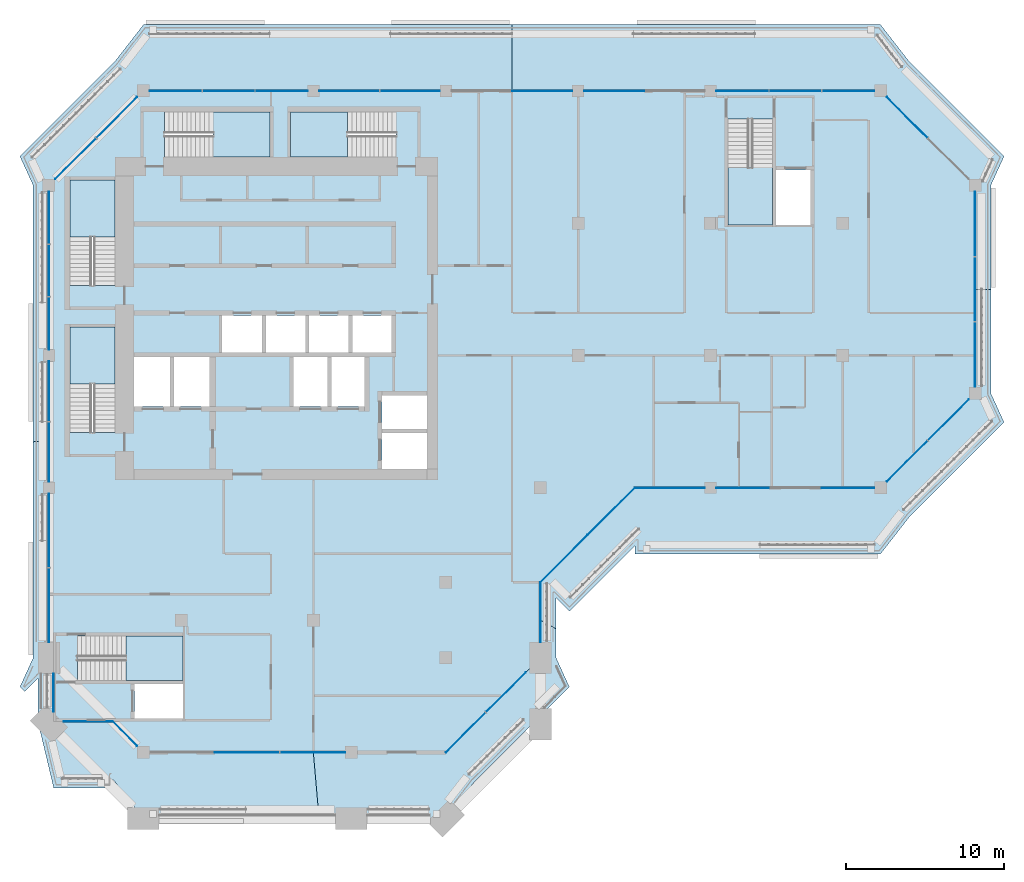
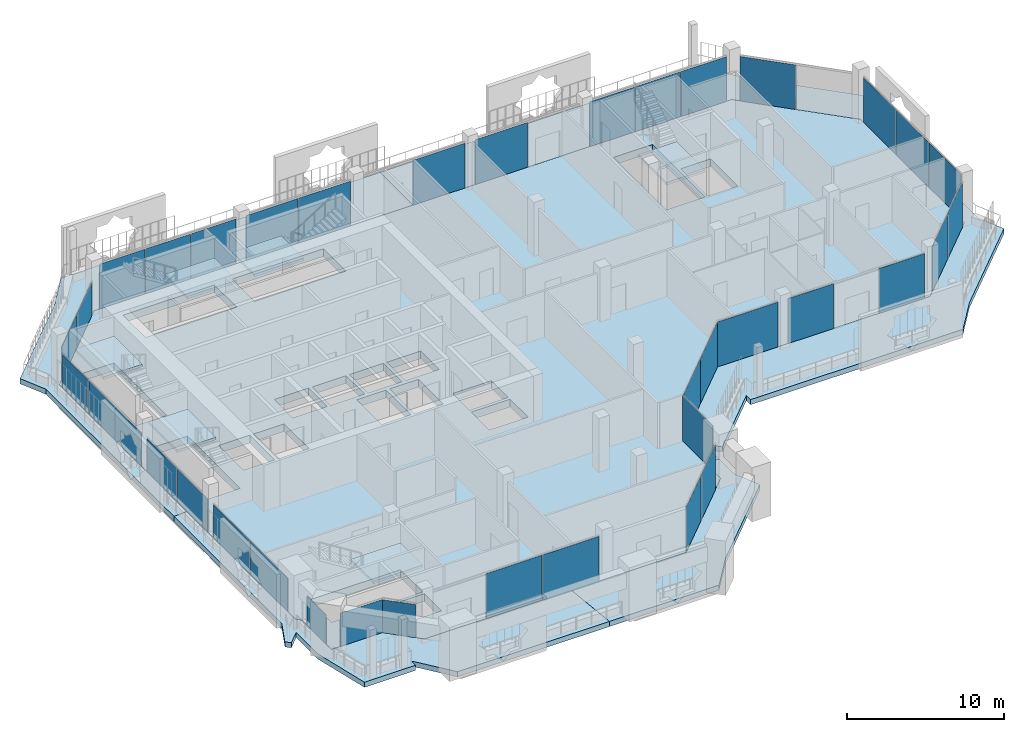
# One storey, part 9 of 22: 38 plates, 12 slabs, 20 elements without a shape of their own.
"""IFC4 building model written with IfcOpenShell, lengths in metres."""

from ifc_helpers import new_model, si_unit, direction, frame, origin, origin_2d, place, context, subcontext, project, spatial, polyline, rectangle, outline, extrude, material, layer, layer_set, type_object, element, aggregate, save


model = new_model("IFC4")

# Units and contexts
model_context = context("Model", 3, precision=1e-05, world=origin(), true_north=direction((0.0, 1.0)))
body_context = subcontext(model_context, "Body", "Model", "MODEL_VIEW")
ifc_project = project(units=[si_unit("LENGTHUNIT", "METRE"), si_unit("AREAUNIT", "SQUARE_METRE"), si_unit("VOLUMEUNIT", "CUBIC_METRE"), si_unit("PLANEANGLEUNIT", "RADIAN"), si_unit("MASSUNIT", "GRAM", prefix="KILO")], contexts=[model_context])

# Site, building, storey
site_placement = place(None, origin())
site = spatial("IfcSite", under=ifc_project, at=site_placement, CompositionType="ELEMENT")
building_placement = place(site_placement, origin())
building = spatial("IfcBuilding", under=site, at=building_placement, Name="Kawkab Arch Medical Tower", CompositionType="ELEMENT")
storey_placement = place(building_placement, frame((0.0, 0.0, 294.39990234375)))
storey = spatial("IfcBuildingStorey", under=building, at=storey_placement, Name="L68", CompositionType="ELEMENT", Elevation=294.39990234375)

# Curtain wall, plates
ifc_material_1 = material(Name="Bronze anodised aluminium curtain wall frame", Category="aluminium")
ifc_layer_1 = layer(ifc_material_1, 0.159912109375)
ifc_layer_set_1 = layer_set([ifc_layer_1], Name="Bronze anodised aluminium curtain wall frame")
curtain_wall_type_1 = type_object("IfcCurtainWallType", Name="CW1 ward curtain wall", PredefinedType="NOTDEFINED", material=ifc_layer_set_1)
placement_1 = place(storey_placement, origin())
curtain_wall_1 = element("IfcCurtainWall", 1, at=placement_1, inside=storey, type_object=curtain_wall_type_1, Name="CW1 Ward curtain wall R02", PredefinedType="NOTDEFINED")
ifc_material_2 = material(Name="Tinted insulating glass, bronze low-e coating", Category="glass")
ifc_layer_2 = layer(ifc_material_2, 0.031982421875)
ifc_layer_set_2 = layer_set([ifc_layer_2], Name="Tinted insulating glass, bronze low-e coating")
plate_type_1 = type_object("IfcPlateType", Name="CW1 glazing unit 32", PredefinedType="CURTAIN_PANEL", material=ifc_layer_set_2)
plate_1_placement = place(storey_placement, frame((0.0, -8.055908203125, 0.0), z_axis=(0.0, 0.0, 1.0), x_axis=(0.0, -1.0, 0.0)))
plate_1 = element("IfcPlate", 2, at=plate_1_placement, type_object=plate_type_1, Name="CW1 glazing unit 1.1", PredefinedType="CURTAIN_PANEL", context=body_context, shape_type="SweptSolid", body=[
    extrude(rectangle(XDim=3.311767578125, YDim=0.031982421875, at=origin_2d()), origin(), (0.0, 0.0, 1.0), 2.580078125),
])
plate_2_placement = place(storey_placement, frame((0.0, -11.41259765625, 0.0), z_axis=(0.0, 0.0, 1.0), x_axis=(0.0, -1.0, 0.0)))
plate_2 = element("IfcPlate", 3, at=plate_2_placement, type_object=plate_type_1, Name="CW1 glazing unit 1.2", PredefinedType="CURTAIN_PANEL", context=body_context, shape_type="SweptSolid", body=[
    extrude(rectangle(XDim=3.28173828125, YDim=0.031982421875, at=origin_2d()), origin(), (0.0, 0.0, 1.0), 2.580078125),
])
plate_3_placement = place(storey_placement, frame((0.0, -14.769287109375, 0.0), z_axis=(0.0, 0.0, 1.0), x_axis=(0.0, -1.0, 0.0)))
plate_3 = element("IfcPlate", 4, at=plate_3_placement, type_object=plate_type_1, Name="CW1 glazing unit 1.3", PredefinedType="CURTAIN_PANEL", context=body_context, shape_type="SweptSolid", body=[
    extrude(rectangle(XDim=3.311767578125, YDim=0.031982421875, at=origin_2d()), origin(), (0.0, 0.0, 1.0), 2.580078125),
])
plate_4_placement = place(storey_placement, frame((0.0, -19.072509765625, 0.0), z_axis=(0.0, 0.0, 1.0), x_axis=(0.0, -1.0, 0.0)))
plate_4 = element("IfcPlate", 5, at=plate_4_placement, type_object=plate_type_1, Name="CW1 glazing unit 2.1", PredefinedType="CURTAIN_PANEL", context=body_context, shape_type="SweptSolid", body=[
    extrude(rectangle(XDim=3.794921875, YDim=0.031982421875, at=origin_2d()), origin(), (0.0, 0.0, 1.0), 2.580078125),
])
plate_5_placement = place(storey_placement, frame((0.0, -22.927490234375, 0.0), z_axis=(0.0, 0.0, 1.0), x_axis=(0.0, -1.0, 0.0)))
plate_5 = element("IfcPlate", 6, at=plate_5_placement, type_object=plate_type_1, Name="CW1 glazing unit 2.2", PredefinedType="CURTAIN_PANEL", context=body_context, shape_type="SweptSolid", body=[
    extrude(rectangle(XDim=3.794921875, YDim=0.031982421875, at=origin_2d()), origin(), (0.0, 0.0, 1.0), 2.580078125),
])
plate_6_placement = place(storey_placement, frame((0.0, -27.916259765625, 0.0), z_axis=(0.0, 0.0, 1.0), x_axis=(0.0, -1.0, 0.0)))
plate_6 = element("IfcPlate", 7, at=plate_6_placement, type_object=plate_type_1, Name="CW1 glazing unit 3.1", PredefinedType="CURTAIN_PANEL", context=body_context, shape_type="SweptSolid", body=[
    extrude(rectangle(XDim=4.6826171875, YDim=0.031982421875, at=origin_2d()), origin(), (0.0, 0.0, 1.0), 2.580078125),
])
plate_7_placement = place(storey_placement, frame((0.0, -32.65869140625, 0.0), z_axis=(0.0, 0.0, 1.0), x_axis=(0.0, -1.0, 0.0)))
plate_7 = element("IfcPlate", 8, at=plate_7_placement, type_object=plate_type_1, Name="CW1 glazing unit 3.2", PredefinedType="CURTAIN_PANEL", context=body_context, shape_type="SweptSolid", body=[
    extrude(rectangle(XDim=4.6826171875, YDim=0.031982421875, at=origin_2d()), origin(), (0.0, 0.0, 1.0), 2.580078125),
])
aggregate(curtain_wall_1, [plate_1, plate_2, plate_3, plate_4, plate_5, plate_6, plate_7])

# Curtain wall, plate
curtain_wall_2 = element("IfcCurtainWall", 9, at=placement_1, inside=storey, type_object=curtain_wall_type_1, Name="CW1 Ward curtain wall R04", PredefinedType="NOTDEFINED")
plate_8_placement = place(storey_placement, frame((0.300048828125, -38.205078125, 0.0), z_axis=(0.0, 0.0, 1.0), x_axis=(0.0, -1.0, 0.0)))
plate_8 = element("IfcPlate", 10, at=plate_8_placement, type_object=plate_type_1, Name="CW1 glazing unit 1.1", PredefinedType="CURTAIN_PANEL", context=body_context, shape_type="SweptSolid", body=[
    extrude(rectangle(XDim=2.41015625, YDim=0.031982421875, at=origin_2d()), origin(), (0.0, 0.0, 1.0), 2.280029296875),
])
aggregate(curtain_wall_2, [plate_8])

curtain_wall_3 = element("IfcCurtainWall", 11, at=placement_1, inside=storey, type_object=curtain_wall_type_1, Name="CW1 Ward curtain wall R05", PredefinedType="NOTDEFINED")
plate_9_placement = place(storey_placement, frame((2.494873046875, -40.050048828125, 0.0), z_axis=(0.0, 0.0, 1.0), x_axis=(1.0, 0.0, 0.0)))
plate_9 = element("IfcPlate", 12, at=plate_9_placement, type_object=plate_type_1, Name="CW1 glazing unit 1.1", PredefinedType="CURTAIN_PANEL", context=body_context, shape_type="SweptSolid", body=[
    extrude(rectangle(XDim=3.110107421875, YDim=0.031982421875, at=origin_2d()), origin(), (0.0, 0.0, 1.0), 2.580078125),
])
aggregate(curtain_wall_3, [plate_9])

# Curtain wall, plates
curtain_wall_4 = element("IfcCurtainWall", 13, at=placement_1, inside=storey, type_object=curtain_wall_type_1, Name="CW1 Ward curtain wall R07", PredefinedType="NOTDEFINED")
plate_10_placement = place(storey_placement, frame((12.5849609375, -42.0, 0.0), z_axis=(0.0, 0.0, 1.0), x_axis=(1.0, 0.0, 0.0)))
plate_10 = element("IfcPlate", 14, at=plate_10_placement, type_object=plate_type_1, Name="CW1 glazing unit 1.2", PredefinedType="CURTAIN_PANEL", context=body_context, shape_type="SweptSolid", body=[
    extrude(rectangle(XDim=4.103271484375, YDim=0.031982421875, at=origin_2d()), origin(), (0.0, 0.0, 1.0), 3.47998046875),
])
plate_11_placement = place(storey_placement, frame((16.748291015625, -42.0, 0.0), z_axis=(0.0, 0.0, 1.0), x_axis=(1.0, 0.0, 0.0)))
plate_11 = element("IfcPlate", 15, at=plate_11_placement, type_object=plate_type_1, Name="CW1 glazing unit 1.3", PredefinedType="CURTAIN_PANEL", context=body_context, shape_type="SweptSolid", body=[
    extrude(rectangle(XDim=4.103271484375, YDim=0.031982421875, at=origin_2d()), origin(), (0.0, 0.0, 1.0), 3.47998046875),
])
aggregate(curtain_wall_4, [plate_10, plate_11])

# Curtain wall, plate
curtain_wall_5 = element("IfcCurtainWall", 16, at=placement_1, inside=storey, type_object=curtain_wall_type_1, Name="CW1 Ward curtain wall R09", PredefinedType="NOTDEFINED")
plate_12_placement = place(storey_placement, frame((31.199951171875, -33.10009765625, 0.0), z_axis=(0.0, 0.0, 1.0), x_axis=(0.0, 1.0, 0.0)))
plate_12 = element("IfcPlate", 17, at=plate_12_placement, type_object=plate_type_1, Name="CW1 glazing unit 1.1", PredefinedType="CURTAIN_PANEL", context=body_context, shape_type="SweptSolid", body=[
    extrude(rectangle(XDim=3.800048828125, YDim=0.031982421875, at=origin_2d()), origin(), (0.0, 0.0, 1.0), 3.47998046875),
])
aggregate(curtain_wall_5, [plate_12])

# Curtain wall, plates
curtain_wall_6 = element("IfcCurtainWall", 18, at=placement_1, inside=storey, type_object=curtain_wall_type_1, Name="CW1 Ward curtain wall R11", PredefinedType="NOTDEFINED")
plate_13_placement = place(storey_placement, frame((39.41259765625, -25.199951171875, 0.0), z_axis=(0.0, 0.0, 1.0), x_axis=(1.0, 0.0, 0.0)))
plate_13 = element("IfcPlate", 19, at=plate_13_placement, type_object=plate_type_1, Name="CW1 glazing unit 1.1", PredefinedType="CURTAIN_PANEL", context=body_context, shape_type="SweptSolid", body=[
    extrude(rectangle(XDim=4.425048828125, YDim=0.031982421875, at=origin_2d()), origin(), (0.0, 0.0, 1.0), 3.47998046875),
])
plate_14_placement = place(storey_placement, frame((44.0458984375, -25.199951171875, 0.0), z_axis=(0.0, 0.0, 1.0), x_axis=(1.0, 0.0, 0.0)))
plate_14 = element("IfcPlate", 20, at=plate_14_placement, type_object=plate_type_1, Name="CW1 glazing unit 2.1", PredefinedType="CURTAIN_PANEL", context=body_context, shape_type="SweptSolid", body=[
    extrude(rectangle(XDim=3.341552734375, YDim=0.031982421875, at=origin_2d()), origin(), (0.0, 0.0, 1.0), 3.47998046875),
])
plate_15_placement = place(storey_placement, frame((50.729248046875, -25.199951171875, 0.0), z_axis=(0.0, 0.0, 1.0), x_axis=(1.0, 0.0, 0.0)))
plate_15 = element("IfcPlate", 21, at=plate_15_placement, type_object=plate_type_1, Name="CW1 glazing unit 2.3", PredefinedType="CURTAIN_PANEL", context=body_context, shape_type="SweptSolid", body=[
    extrude(rectangle(XDim=3.341552734375, YDim=0.031982421875, at=origin_2d()), origin(), (0.0, 0.0, 1.0), 3.47998046875),
])
aggregate(curtain_wall_6, [plate_13, plate_14, plate_15])

curtain_wall_7 = element("IfcCurtainWall", 22, at=placement_1, inside=storey, type_object=curtain_wall_type_1, Name="CW1 Ward curtain wall R13", PredefinedType="NOTDEFINED")
plate_16_placement = place(storey_placement, frame((58.800048828125, -16.748291015625, 0.0), z_axis=(0.0, 0.0, 1.0), x_axis=(0.0, 1.0, 0.0)))
plate_16 = element("IfcPlate", 23, at=plate_16_placement, type_object=plate_type_1, Name="CW1 glazing unit 1.1", PredefinedType="CURTAIN_PANEL", context=body_context, shape_type="SweptSolid", body=[
    extrude(rectangle(XDim=4.103271484375, YDim=0.031982421875, at=origin_2d()), origin(), (0.0, 0.0, 1.0), 3.47998046875),
])
plate_17_placement = place(storey_placement, frame((58.800048828125, -12.60009765625, 0.0), z_axis=(0.0, 0.0, 1.0), x_axis=(0.0, 1.0, 0.0)))
plate_17 = element("IfcPlate", 24, at=plate_17_placement, type_object=plate_type_1, Name="CW1 glazing unit 1.2", PredefinedType="CURTAIN_PANEL", context=body_context, shape_type="SweptSolid", body=[
    extrude(rectangle(XDim=4.0732421875, YDim=0.031982421875, at=origin_2d()), origin(), (0.0, 0.0, 1.0), 3.47998046875),
])
plate_18_placement = place(storey_placement, frame((58.800048828125, -8.45166015625, 0.0), z_axis=(0.0, 0.0, 1.0), x_axis=(0.0, 1.0, 0.0)))
plate_18 = element("IfcPlate", 25, at=plate_18_placement, type_object=plate_type_1, Name="CW1 glazing unit 1.3", PredefinedType="CURTAIN_PANEL", context=body_context, shape_type="SweptSolid", body=[
    extrude(rectangle(XDim=4.103271484375, YDim=0.031982421875, at=origin_2d()), origin(), (0.0, 0.0, 1.0), 3.47998046875),
])
aggregate(curtain_wall_7, [plate_16, plate_17, plate_18])

curtain_wall_8 = element("IfcCurtainWall", 26, at=placement_1, inside=storey, type_object=curtain_wall_type_1, Name="CW1 Ward curtain wall R15", PredefinedType="NOTDEFINED")
plate_19_placement = place(storey_placement, frame((50.744140625, 0.0, 0.0), z_axis=(0.0, 0.0, 1.0), x_axis=(-1.0, 0.0, 0.0)))
plate_19 = element("IfcPlate", 27, at=plate_19_placement, type_object=plate_type_1, Name="CW1 glazing unit 1.1", PredefinedType="CURTAIN_PANEL", context=body_context, shape_type="SweptSolid", body=[
    extrude(rectangle(XDim=3.311767578125, YDim=0.031982421875, at=origin_2d()), origin(), (0.0, 0.0, 1.0), 3.47998046875),
])
plate_20_placement = place(storey_placement, frame((47.387451171875, 0.0, 0.0), z_axis=(0.0, 0.0, 1.0), x_axis=(-1.0, 0.0, 0.0)))
plate_20 = element("IfcPlate", 28, at=plate_20_placement, type_object=plate_type_1, Name="CW1 glazing unit 1.2", PredefinedType="CURTAIN_PANEL", context=body_context, shape_type="SweptSolid", body=[
    extrude(rectangle(XDim=3.28173828125, YDim=0.031982421875, at=origin_2d()), origin(), (0.0, 0.0, 1.0), 3.47998046875),
])
plate_21_placement = place(storey_placement, frame((44.03076171875, 0.0, 0.0), z_axis=(0.0, 0.0, 1.0), x_axis=(-1.0, 0.0, 0.0)))
plate_21 = element("IfcPlate", 29, at=plate_21_placement, type_object=plate_type_1, Name="CW1 glazing unit 1.3", PredefinedType="CURTAIN_PANEL", context=body_context, shape_type="SweptSolid", body=[
    extrude(rectangle(XDim=3.311767578125, YDim=0.031982421875, at=origin_2d()), origin(), (0.0, 0.0, 1.0), 3.47998046875),
])
plate_22_placement = place(storey_placement, frame((35.887451171875, 0.0, 0.0), z_axis=(0.0, 0.0, 1.0), x_axis=(-1.0, 0.0, 0.0)))
plate_22 = element("IfcPlate", 30, at=plate_22_placement, type_object=plate_type_1, Name="CW1 glazing unit 2.2", PredefinedType="CURTAIN_PANEL", context=body_context, shape_type="SweptSolid", body=[
    extrude(rectangle(XDim=3.824951171875, YDim=0.031982421875, at=origin_2d()), origin(), (0.0, 0.0, 1.0), 3.47998046875),
])
plate_23_placement = place(storey_placement, frame((31.3125, 0.0, 0.0), z_axis=(0.0, 0.0, 1.0), x_axis=(-1.0, 0.0, 0.0)))
plate_23 = element("IfcPlate", 31, at=plate_23_placement, type_object=plate_type_1, Name="CW1 glazing unit 3.1", PredefinedType="CURTAIN_PANEL", context=body_context, shape_type="SweptSolid", body=[
    extrude(rectangle(XDim=3.824951171875, YDim=0.031982421875, at=origin_2d()), origin(), (0.0, 0.0, 1.0), 3.47998046875),
])
plate_24_placement = place(storey_placement, frame((22.927490234375, 0.0, 0.0), z_axis=(0.0, 0.0, 1.0), x_axis=(-1.0, 0.0, 0.0)))
plate_24 = element("IfcPlate", 32, at=plate_24_placement, type_object=plate_type_1, Name="CW1 glazing unit 4.1", PredefinedType="CURTAIN_PANEL", context=body_context, shape_type="SweptSolid", body=[
    extrude(rectangle(XDim=3.794921875, YDim=0.031982421875, at=origin_2d()), origin(), (0.0, 0.0, 1.0), 3.47998046875),
])
plate_25_placement = place(storey_placement, frame((19.072509765625, 0.0, 0.0), z_axis=(0.0, 0.0, 1.0), x_axis=(-1.0, 0.0, 0.0)))
plate_25 = element("IfcPlate", 33, at=plate_25_placement, type_object=plate_type_1, Name="CW1 glazing unit 4.2", PredefinedType="CURTAIN_PANEL", context=body_context, shape_type="SweptSolid", body=[
    extrude(rectangle(XDim=3.794921875, YDim=0.031982421875, at=origin_2d()), origin(), (0.0, 0.0, 1.0), 3.47998046875),
])
plate_26_placement = place(storey_placement, frame((14.769287109375, 0.0, 0.0), z_axis=(0.0, 0.0, 1.0), x_axis=(-1.0, 0.0, 0.0)))
plate_26 = element("IfcPlate", 34, at=plate_26_placement, type_object=plate_type_1, Name="CW1 glazing unit 5.1", PredefinedType="CURTAIN_PANEL", context=body_context, shape_type="SweptSolid", body=[
    extrude(rectangle(XDim=3.311767578125, YDim=0.031982421875, at=origin_2d()), origin(), (0.0, 0.0, 1.0), 3.47998046875),
])
plate_27_placement = place(storey_placement, frame((11.41259765625, 0.0, 0.0), z_axis=(0.0, 0.0, 1.0), x_axis=(-1.0, 0.0, 0.0)))
plate_27 = element("IfcPlate", 35, at=plate_27_placement, type_object=plate_type_1, Name="CW1 glazing unit 5.2", PredefinedType="CURTAIN_PANEL", context=body_context, shape_type="SweptSolid", body=[
    extrude(rectangle(XDim=3.28173828125, YDim=0.031982421875, at=origin_2d()), origin(), (0.0, 0.0, 1.0), 3.47998046875),
])
plate_28_placement = place(storey_placement, frame((8.055908203125, 0.0, 0.0), z_axis=(0.0, 0.0, 1.0), x_axis=(-1.0, 0.0, 0.0)))
plate_28 = element("IfcPlate", 36, at=plate_28_placement, type_object=plate_type_1, Name="CW1 glazing unit 5.3", PredefinedType="CURTAIN_PANEL", context=body_context, shape_type="SweptSolid", body=[
    extrude(rectangle(XDim=3.311767578125, YDim=0.031982421875, at=origin_2d()), origin(), (0.0, 0.0, 1.0), 3.47998046875),
])
aggregate(curtain_wall_8, [plate_19, plate_20, plate_21, plate_22, plate_23, plate_24, plate_25, plate_26, plate_27, plate_28])

ifc_material_3 = material(Name="Bronze anodised aluminium curtain wall frame", Category="aluminium")
ifc_layer_3 = layer(ifc_material_3, 0.159912109375)
ifc_layer_set_3 = layer_set([ifc_layer_3], Name="Bronze anodised aluminium curtain wall frame")
curtain_wall_type_2 = type_object("IfcCurtainWallType", Name="CW2 chamfer curtain wall", PredefinedType="NOTDEFINED", material=ifc_layer_set_3)
curtain_wall_9 = element("IfcCurtainWall", 37, at=placement_1, inside=storey, type_object=curtain_wall_type_2, Name="CW2 Chamfer curtain wall R01", PredefinedType="NOTDEFINED")
ifc_material_4 = material(Name="Tinted insulating glass, bronze low-e coating", Category="glass")
ifc_layer_4 = layer(ifc_material_4, 0.031982421875)
ifc_layer_set_4 = layer_set([ifc_layer_4], Name="Tinted insulating glass, bronze low-e coating")
plate_type_2 = type_object("IfcPlateType", Name="CW2 glazing unit 32", PredefinedType="CURTAIN_PANEL", material=ifc_layer_set_4)
plate_29_placement = place(storey_placement, frame((4.310546875, -1.689453125, 0.0), z_axis=(0.0, 0.0, 1.0), x_axis=(-0.707106781187, -0.707106781187, 0.0)))
plate_29 = element("IfcPlate", 38, at=plate_29_placement, type_object=plate_type_2, Name="CW2 glazing unit 1.1", PredefinedType="CURTAIN_PANEL", context=body_context, shape_type="SweptSolid", body=[
    extrude(rectangle(XDim=3.64697265625, YDim=0.031982421875, at=origin_2d()), origin(), (0.0, 0.0, 1.0), 2.56005859375),
])
plate_30_placement = place(storey_placement, frame((1.689453125, -4.310546875, 0.0), z_axis=(0.0, 0.0, 1.0), x_axis=(-0.707106781187, -0.707106781187, 0.0)))
plate_30 = element("IfcPlate", 39, at=plate_30_placement, type_object=plate_type_2, Name="CW2 glazing unit 1.2", PredefinedType="CURTAIN_PANEL", context=body_context, shape_type="SweptSolid", body=[
    extrude(rectangle(XDim=3.64697265625, YDim=0.031982421875, at=origin_2d()), origin(), (0.0, 0.0, 1.0), 2.56005859375),
])
aggregate(curtain_wall_9, [plate_29, plate_30])

# Curtain wall, plate
curtain_wall_10 = element("IfcCurtainWall", 40, at=placement_1, inside=storey, type_object=curtain_wall_type_2, Name="CW2 Chamfer curtain wall R06", PredefinedType="NOTDEFINED")
plate_31_placement = place(storey_placement, frame((4.824951171875, -40.824951171875, 0.0), z_axis=(0.0, 0.0, 1.0), x_axis=(0.707106781187, -0.707106781187, 0.0)))
plate_31 = element("IfcPlate", 41, at=plate_31_placement, type_object=plate_type_2, Name="CW2 glazing unit 1.1", PredefinedType="CURTAIN_PANEL", context=body_context, shape_type="SweptSolid", body=[
    extrude(rectangle(XDim=2.192138671875, YDim=0.031982421875, at=origin_2d()), origin(), (0.0, 0.0, 1.0), 2.56005859375),
])
aggregate(curtain_wall_10, [plate_31])

# Curtain wall, plates
curtain_wall_11 = element("IfcCurtainWall", 42, at=placement_1, inside=storey, type_object=curtain_wall_type_2, Name="CW2 Chamfer curtain wall R08", PredefinedType="NOTDEFINED")
plate_32_placement = place(storey_placement, frame((26.456787109375, -40.7431640625, 0.0), z_axis=(0.0, 0.0, 1.0), x_axis=(0.707106781187, 0.707106781187, 0.0)))
plate_32 = element("IfcPlate", 43, at=plate_32_placement, type_object=plate_type_2, Name="CW2 glazing unit 1.1", PredefinedType="CURTAIN_PANEL", context=body_context, shape_type="SweptSolid", body=[
    extrude(rectangle(XDim=3.5546875, YDim=0.031982421875, at=origin_2d()), origin(), (0.0, 0.0, 1.0), 3.4599609375),
])
plate_33_placement = place(storey_placement, frame((29.012939453125, -38.187255859375, 0.0), z_axis=(0.0, 0.0, 1.0), x_axis=(0.707106781187, 0.707106781187, 0.0)))
plate_33 = element("IfcPlate", 44, at=plate_33_placement, type_object=plate_type_2, Name="CW2 glazing unit 1.2", PredefinedType="CURTAIN_PANEL", context=body_context, shape_type="SweptSolid", body=[
    extrude(rectangle(XDim=3.5546875, YDim=0.031982421875, at=origin_2d()), origin(), (0.0, 0.0, 1.0), 3.4599609375),
])
aggregate(curtain_wall_11, [plate_32, plate_33])

curtain_wall_12 = element("IfcCurtainWall", 45, at=placement_1, inside=storey, type_object=curtain_wall_type_2, Name="CW2 Chamfer curtain wall R10", PredefinedType="NOTDEFINED")
plate_34_placement = place(storey_placement, frame((32.699951171875, -29.699951171875, 0.0), z_axis=(0.0, 0.0, 1.0), x_axis=(0.707106781187, 0.707106781187, 0.0)))
plate_34 = element("IfcPlate", 46, at=plate_34_placement, type_object=plate_type_2, Name="CW2 glazing unit 1.1", PredefinedType="CURTAIN_PANEL", context=body_context, shape_type="SweptSolid", body=[
    extrude(rectangle(XDim=4.24267578125, YDim=0.031982421875, at=origin_2d()), origin(), (0.0, 0.0, 1.0), 3.4599609375),
])
plate_35_placement = place(storey_placement, frame((35.699951171875, -26.699951171875, 0.0), z_axis=(0.0, 0.0, 1.0), x_axis=(0.707106781187, 0.707106781187, 0.0)))
plate_35 = element("IfcPlate", 47, at=plate_35_placement, type_object=plate_type_2, Name="CW2 glazing unit 2.1", PredefinedType="CURTAIN_PANEL", context=body_context, shape_type="SweptSolid", body=[
    extrude(rectangle(XDim=4.24267578125, YDim=0.031982421875, at=origin_2d()), origin(), (0.0, 0.0, 1.0), 3.4599609375),
])
aggregate(curtain_wall_12, [plate_34, plate_35])

curtain_wall_13 = element("IfcCurtainWall", 48, at=placement_1, inside=storey, type_object=curtain_wall_type_2, Name="CW2 Chamfer curtain wall R12", PredefinedType="NOTDEFINED")
plate_36_placement = place(storey_placement, frame((54.489501953125, -23.510498046875, 0.0), z_axis=(0.0, 0.0, 1.0), x_axis=(0.707106781187, 0.707106781187, 0.0)))
plate_36 = element("IfcPlate", 49, at=plate_36_placement, type_object=plate_type_2, Name="CW2 glazing unit 1.1", PredefinedType="CURTAIN_PANEL", context=body_context, shape_type="SweptSolid", body=[
    extrude(rectangle(XDim=3.64697265625, YDim=0.031982421875, at=origin_2d()), origin(), (0.0, 0.0, 1.0), 3.4599609375),
])
plate_37_placement = place(storey_placement, frame((57.110595703125, -20.889404296875, 0.0), z_axis=(0.0, 0.0, 1.0), x_axis=(0.707106781187, 0.707106781187, 0.0)))
plate_37 = element("IfcPlate", 50, at=plate_37_placement, type_object=plate_type_2, Name="CW2 glazing unit 1.2", PredefinedType="CURTAIN_PANEL", context=body_context, shape_type="SweptSolid", body=[
    extrude(rectangle(XDim=3.64697265625, YDim=0.031982421875, at=origin_2d()), origin(), (0.0, 0.0, 1.0), 3.4599609375),
])
aggregate(curtain_wall_13, [plate_36, plate_37])

# Curtain wall, plate
curtain_wall_14 = element("IfcCurtainWall", 51, at=placement_1, inside=storey, type_object=curtain_wall_type_2, Name="CW2 Chamfer curtain wall R14", PredefinedType="NOTDEFINED")
plate_38_placement = place(storey_placement, frame((54.489501953125, -1.689453125, 0.0), z_axis=(0.0, 0.0, 1.0), x_axis=(-0.707106781187, 0.707106781187, 0.0)))
plate_38 = element("IfcPlate", 52, at=plate_38_placement, type_object=plate_type_2, Name="CW2 glazing unit 1.2", PredefinedType="CURTAIN_PANEL", context=body_context, shape_type="SweptSolid", body=[
    extrude(rectangle(XDim=3.64697265625, YDim=0.031982421875, at=origin_2d()), origin(), (0.0, 0.0, 1.0), 3.4599609375),
])
aggregate(curtain_wall_14, [plate_38])

# Stair, slab
ifc_material_5 = material(Name="Concrete C40/50", Category="concrete")
stair_type = type_object("IfcStairType", Name="Exit stair 1350", PredefinedType="HALF_TURN_STAIR", material=ifc_material_5)
stair_1 = element("IfcStair", 53, at=placement_1, inside=storey, type_object=stair_type, Name="L68 Exit stair ST1", PredefinedType="HALF_TURN_STAIR")
ifc_material_6 = material(Name="Concrete C40/50", Category="concrete")
ifc_layer_5 = layer(ifc_material_6, 0.199951171875)
ifc_layer_set_5 = layer_set([ifc_layer_5], Name="Concrete C40/50")
slab_type_1 = type_object("IfcSlabType", Name="Exit stair landing 200", PredefinedType="LANDING", material=ifc_layer_set_5)
placement_2 = place(storey_placement, frame((0.0, 0.0, 1.900146484375)))
slab_1 = element("IfcSlab", 54, at=placement_2, type_object=slab_type_1, Name="ST1 landing 1", PredefinedType="LANDING", context=body_context, shape_type="SweptSolid", body=[
    extrude(outline(polyline([(4.199951171875, -9.27001953125), (4.199951171875, -5.64990234375), (1.35009765625, -5.64990234375), (1.35009765625, -9.27001953125), (4.199951171875, -9.27001953125)])), origin(), (0.0, 0.0, 1.0), 0.199951171875),
])
aggregate(stair_1, [slab_1])

stair_2 = element("IfcStair", 55, at=placement_1, inside=storey, type_object=stair_type, Name="L68 Exit stair ST2", PredefinedType="HALF_TURN_STAIR")
slab_2 = element("IfcSlab", 56, at=placement_2, type_object=slab_type_1, Name="ST2 landing 1", PredefinedType="LANDING", context=body_context, shape_type="SweptSolid", body=[
    extrude(outline(polyline([(4.199951171875, -18.6201171875), (4.199951171875, -15.0), (1.35009765625, -15.0), (1.35009765625, -18.6201171875), (4.199951171875, -18.6201171875)])), origin(), (0.0, 0.0, 1.0), 0.199951171875),
])
aggregate(stair_2, [slab_2])

stair_3 = element("IfcStair", 57, at=placement_1, inside=storey, type_object=stair_type, Name="L68 Exit stair ST3", PredefinedType="HALF_TURN_STAIR")
slab_3 = element("IfcSlab", 58, at=placement_2, type_object=slab_type_1, Name="ST3 landing 1", PredefinedType="LANDING", context=body_context, shape_type="SweptSolid", body=[
    extrude(outline(polyline([(10.429931640625, -4.199951171875), (14.050048828125, -4.199951171875), (14.050048828125, -1.35009765625), (10.429931640625, -1.35009765625), (10.429931640625, -4.199951171875)])), origin(), (0.0, 0.0, 1.0), 0.199951171875),
])
aggregate(stair_3, [slab_3])

stair_4 = element("IfcStair", 59, at=placement_1, inside=storey, type_object=stair_type, Name="L68 Exit stair ST4", PredefinedType="HALF_TURN_STAIR")
slab_4 = element("IfcSlab", 60, at=placement_2, type_object=slab_type_1, Name="ST4 landing 1", PredefinedType="LANDING", context=body_context, shape_type="SweptSolid", body=[
    extrude(outline(polyline([(18.969970703125, -1.35009765625), (15.35009765625, -1.35009765625), (15.35009765625, -4.199951171875), (18.969970703125, -4.199951171875), (18.969970703125, -1.35009765625)])), origin(), (0.0, 0.0, 1.0), 0.199951171875),
])
aggregate(stair_4, [slab_4])

stair_5 = element("IfcStair", 61, at=placement_1, inside=storey, type_object=stair_type, Name="L68 Exit stair ST5", PredefinedType="HALF_TURN_STAIR")
slab_5 = element("IfcSlab", 62, at=placement_2, type_object=slab_type_1, Name="ST5 landing 1", PredefinedType="LANDING", context=body_context, shape_type="SweptSolid", body=[
    extrude(outline(polyline([(43.10009765625, -4.8798828125), (43.10009765625, -8.5), (45.949951171875, -8.5), (45.949951171875, -4.8798828125), (43.10009765625, -4.8798828125)])), origin(), (0.0, 0.0, 1.0), 0.199951171875),
])
aggregate(stair_5, [slab_5])

stair_6 = element("IfcStair", 63, at=placement_1, inside=storey, type_object=stair_type, Name="L68 Exit stair ST6", PredefinedType="HALF_TURN_STAIR")
slab_6 = element("IfcSlab", 64, at=placement_2, type_object=slab_type_1, Name="ST6 landing 1", PredefinedType="LANDING", context=body_context, shape_type="SweptSolid", body=[
    extrude(outline(polyline([(4.8798828125, -37.449951171875), (8.5, -37.449951171875), (8.5, -34.60009765625), (4.8798828125, -34.60009765625), (4.8798828125, -37.449951171875)])), origin(), (0.0, 0.0, 1.0), 0.199951171875),
])
aggregate(stair_6, [slab_6])

# Slabs
ifc_material_7 = material(Name="Concrete C45/55", Category="concrete")
ifc_layer_6 = layer(ifc_material_7, 0.60009765625)
ifc_layer_set_6 = layer_set([ifc_layer_6], Name="Concrete C45/55")
slab_type_2 = type_object("IfcSlabType", Name="Flat plate 600 C45/55", PredefinedType="FLOOR", material=ifc_layer_set_6)
slab_7_placement = place(storey_placement, frame((0.0, 0.0, -0.599853515625)))
element("IfcSlab", 65, at=slab_7_placement, inside=storey, type_object=slab_type_2, Name="Floor slab L68", PredefinedType="FLOOR", context=body_context, shape_type="SweptSolid", body=[
    extrude(outline(polyline([(52.800048828125, 0.0), (58.800048828125, -6.0), (58.800048828125, -19.199951171875), (52.800048828125, -25.199951171875), (37.199951171875, -25.199951171875), (31.199951171875, -31.199951171875), (31.199951171875, -36.0), (25.199951171875, -42.0), (6.0, -42.0), (4.050048828125, -40.050048828125), (0.300048828125, -40.050048828125), (0.300048828125, -36.300048828125), (0.0, -36.0), (0.0, -6.0), (6.0, 0.0), (52.800048828125, 0.0)]), holes=[polyline([(5.425048828125, -37.64990234375), (5.425048828125, -39.85009765625), (8.5, -39.85009765625), (8.5, -37.64990234375), (5.425048828125, -37.64990234375)]), polyline([(8.5, -37.449951171875), (8.5, -34.60009765625), (1.800048828125, -34.60009765625), (1.800048828125, -37.449951171875), (8.5, -37.449951171875)]), polyline([(5.39990234375, -20.050048828125), (7.675048828125, -20.050048828125), (7.675048828125, -16.89990234375), (5.39990234375, -16.89990234375), (5.39990234375, -20.050048828125)]), polyline([(10.199951171875, -16.89990234375), (7.925048828125, -16.89990234375), (7.925048828125, -20.050048828125), (10.199951171875, -20.050048828125), (10.199951171875, -16.89990234375)]), polyline([(4.199951171875, -15.0), (1.35009765625, -15.0), (1.35009765625, -21.699951171875), (4.199951171875, -21.699951171875), (4.199951171875, -15.0)]), polyline([(13.52490234375, -14.25), (11.0, -14.25), (11.0, -16.60009765625), (13.52490234375, -16.60009765625), (13.52490234375, -14.25)]), polyline([(16.27490234375, -16.60009765625), (16.27490234375, -14.25), (13.77490234375, -14.25), (13.77490234375, -16.60009765625), (16.27490234375, -16.60009765625)]), polyline([(4.199951171875, -12.35009765625), (4.199951171875, -5.64990234375), (1.35009765625, -5.64990234375), (1.35009765625, -12.35009765625), (4.199951171875, -12.35009765625)]), polyline([(7.35009765625, -4.199951171875), (14.050048828125, -4.199951171875), (14.050048828125, -1.35009765625), (7.35009765625, -1.35009765625), (7.35009765625, -4.199951171875)]), polyline([(24.0, -21.72509765625), (21.14990234375, -21.72509765625), (21.14990234375, -24.0), (24.0, -24.0), (24.0, -21.72509765625)]), polyline([(24.0, -19.35009765625), (21.14990234375, -19.35009765625), (21.14990234375, -21.47509765625), (24.0, -21.47509765625), (24.0, -19.35009765625)]), polyline([(17.675048828125, -16.89990234375), (15.52490234375, -16.89990234375), (15.52490234375, -20.050048828125), (17.675048828125, -20.050048828125), (17.675048828125, -16.89990234375)]), polyline([(20.050048828125, -16.89990234375), (17.925048828125, -16.89990234375), (17.925048828125, -20.050048828125), (20.050048828125, -20.050048828125), (20.050048828125, -16.89990234375)]), polyline([(19.02490234375, -16.60009765625), (19.02490234375, -14.25), (16.52490234375, -14.25), (16.52490234375, -16.60009765625), (19.02490234375, -16.60009765625)]), polyline([(21.75, -14.25), (19.27490234375, -14.25), (19.27490234375, -16.60009765625), (21.75, -16.60009765625), (21.75, -14.25)]), polyline([(46.14990234375, -8.5), (48.35009765625, -8.5), (48.35009765625, -5.02490234375), (46.14990234375, -5.02490234375), (46.14990234375, -8.5)]), polyline([(43.10009765625, -1.800048828125), (43.10009765625, -8.5), (45.949951171875, -8.5), (45.949951171875, -1.800048828125), (43.10009765625, -1.800048828125)]), polyline([(22.050048828125, -1.35009765625), (15.35009765625, -1.35009765625), (15.35009765625, -4.199951171875), (22.050048828125, -4.199951171875), (22.050048828125, -1.35009765625)])]), origin(), (0.0, 0.0, 1.0), 0.599853515625),
])
ifc_material_8 = material(Name="Concrete C40/50", Category="concrete")
ifc_layer_7 = layer(ifc_material_8, 0.39990234375)
ifc_layer_set_7 = layer_set([ifc_layer_7], Name="Concrete C40/50")
slab_type_3 = type_object("IfcSlabType", Name="Loggia slab 400", PredefinedType="FLOOR", material=ifc_layer_set_7)
placement_3 = place(storey_placement, frame((0.0, 0.0, -0.39990234375)))
element("IfcSlab", 66, at=placement_3, inside=storey, type_object=slab_type_3, Name="Loggia slab L68.1", PredefinedType="FLOOR", context=body_context, shape_type="SweptSolid", body=[
    extrude(outline(polyline([(33.0380859375, -37.837890625), (27.0380859375, -43.837890625), (25.199951171875, -46.199951171875), (17.154052734375, -46.199951171875), (16.787109375, -42.0009765625), (25.199951171875, -42.0009765625), (25.199951171875, -42.0), (31.199951171875, -36.0), (31.199951171875, -33.60107421875), (32.199951171875, -34.156005859375), (32.199951171875, -36.0), (33.0380859375, -37.837890625)])), origin(), (0.0, 0.0, 1.0), 0.39990234375),
])
element("IfcSlab", 67, at=placement_3, inside=storey, type_object=slab_type_3, Name="Loggia slab L68.2", PredefinedType="FLOOR", context=body_context, shape_type="SweptSolid", body=[
    extrude(outline(polyline([(4.050048828125, -44.25), (0.300048828125, -44.25), (-0.699951171875, -40.050048828125), (-0.699951171875, -37.299072265625), (-1.5380859375, -38.136962890625), (-1.837890625, -37.837890625), (-1.0, -36.0), (-1.0, -22.280029296875), (-0.0009765625, -22.22705078125), (-0.0009765625, -36.0), (0.0, -36.0), (0.299072265625, -36.300048828125), (0.299072265625, -40.050048828125), (4.050048828125, -40.050048828125), (6.0, -42.0), (6.0, -42.0009765625), (16.785888671875, -42.0009765625), (17.153076171875, -46.199951171875), (6.0, -46.199951171875), (4.162109375, -43.837890625), (4.050048828125, -43.72607421875), (4.050048828125, -44.25)])), origin(), (0.0, 0.0, 1.0), 0.39990234375),
])
element("IfcSlab", 68, at=placement_3, inside=storey, type_object=slab_type_3, Name="Loggia slab L68.3", PredefinedType="FLOOR", context=body_context, shape_type="SweptSolid", body=[
    extrude(outline(polyline([(31.199951171875, -31.199951171875), (37.199951171875, -25.199951171875), (52.800048828125, -25.199951171875), (58.800048828125, -19.199951171875), (58.800048828125, -12.60009765625), (59.800048828125, -12.60009765625), (59.800048828125, -19.199951171875), (60.637939453125, -21.0380859375), (54.637939453125, -27.0380859375), (52.800048828125, -29.39990234375), (37.199951171875, -29.39990234375), (37.199951171875, -28.8759765625), (33.0380859375, -33.037109375), (32.199951171875, -32.198974609375), (32.199951171875, -34.155029296875), (31.199951171875, -33.60009765625), (31.199951171875, -31.199951171875)])), origin(), (0.0, 0.0, 1.0), 0.39990234375),
])
element("IfcSlab", 69, at=placement_3, inside=storey, type_object=slab_type_3, Name="Loggia slab L68.4", PredefinedType="FLOOR", context=body_context, shape_type="SweptSolid", body=[
    extrude(outline(polyline([(-1.837890625, -4.162109375), (4.162109375, 1.837890625), (6.0, 4.199951171875), (29.39990234375, 4.199951171875), (29.39990234375, 0.0009765625), (6.0, 0.0009765625), (6.0, 0.0), (0.0, -6.0), (-0.0009765625, -6.0), (-0.0009765625, -22.22607421875), (-1.0, -22.279052734375), (-1.0, -6.0), (-1.837890625, -4.162109375)])), origin(), (0.0, 0.0, 1.0), 0.39990234375),
])
element("IfcSlab", 70, at=placement_3, inside=storey, type_object=slab_type_3, Name="Loggia slab L68.5", PredefinedType="FLOOR", context=body_context, shape_type="SweptSolid", body=[
    extrude(outline(polyline([(54.637939453125, 1.837890625), (60.637939453125, -4.162109375), (59.800048828125, -6.0), (59.800048828125, -12.60009765625), (58.800048828125, -12.60009765625), (58.800048828125, -6.0), (52.800048828125, 0.0), (52.800048828125, 0.0009765625), (29.39990234375, 0.0009765625), (29.39990234375, 4.199951171875), (52.800048828125, 4.199951171875), (54.637939453125, 1.837890625)])), origin(), (0.0, 0.0, 1.0), 0.39990234375),
])

save(model, "model.ifc")
